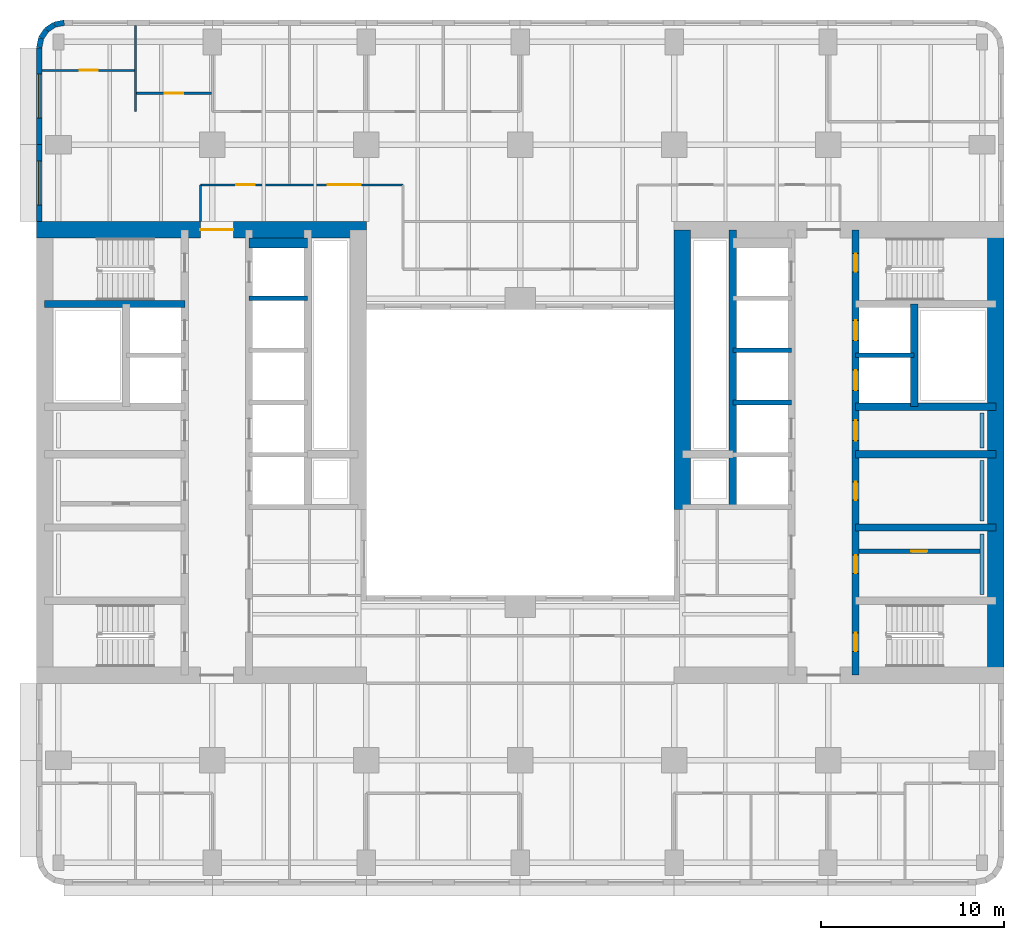
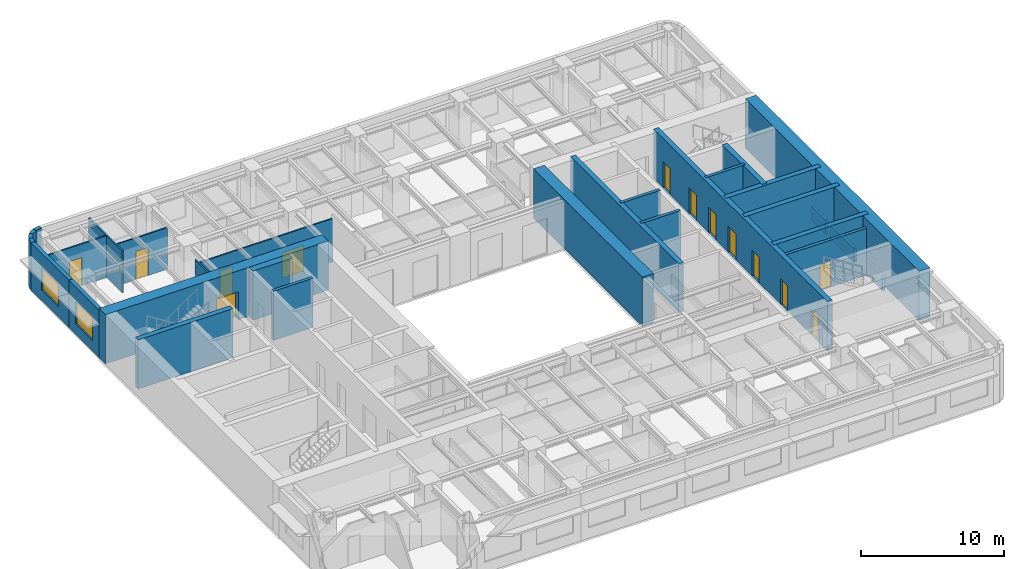
# One storey, part 6 of 11: 30 walls, 13 doors, 2 windows, 15 openings.
"""IFC4 building model written with IfcOpenShell, lengths in metres."""

from ifc_helpers import new_model, si_unit, direction, frame, frame_2d, origin, place, context, subcontext, project, spatial, rectangle, extrude, material, layer, layer_set, type_object, element, fill, save


model = new_model("IFC4")

# Units and contexts
model_context = context("Model", 3, precision=1e-05, world=origin(), true_north=direction((0.0, 1.0)))
body_context = subcontext(model_context, "Body", "Model", "MODEL_VIEW")
ifc_project = project(units=[si_unit("LENGTHUNIT", "METRE"), si_unit("AREAUNIT", "SQUARE_METRE"), si_unit("VOLUMEUNIT", "CUBIC_METRE"), si_unit("PLANEANGLEUNIT", "RADIAN"), si_unit("MASSUNIT", "GRAM", prefix="KILO")], contexts=[model_context])

# Site, building, storey
site_placement = place(None, origin())
site = spatial("IfcSite", under=ifc_project, at=site_placement, CompositionType="ELEMENT")
building_placement = place(site_placement, origin())
building = spatial("IfcBuilding", under=site, at=building_placement, Name="Claustro Exchange Tower", CompositionType="ELEMENT")
storey_placement = place(building_placement, frame((0.0, 0.0, 130.199951171875)))
storey = spatial("IfcBuildingStorey", under=building, at=storey_placement, Name="L29", CompositionType="ELEMENT", Elevation=130.199951171875)

# Wall, opening, door
ifc_material_1 = material(Name="Laminated glass in aluminium frame", Category="aluminium")
ifc_layer_1 = layer(ifc_material_1, 0.1201171875)
ifc_layer_set_1 = layer_set([ifc_layer_1], Name="Laminated glass in aluminium frame")
wall_type_1 = type_object("IfcWallType", Name="P2 120 glazed partition", PredefinedType="PARTITIONING", material=ifc_layer_set_1)
wall_1_placement = place(storey_placement, frame((-0.902099609375, 46.050048828125, 0.0), z_axis=(0.0, 0.0, 1.0), x_axis=(1.0, 0.0, 0.0)))
wall_1 = element("IfcWall", 1, at=wall_1_placement, inside=storey, type_object=wall_type_1, Name="Partition P2 L29", PredefinedType="PARTITIONING", context=body_context, shape_type="SweptSolid", body=[
    extrude(rectangle(XDim=5.044189453125, YDim=0.1201171875, at=frame_2d((2.52197265625, 0.0))), origin(), (0.0, 0.0, 1.0), 3.56005859375),
])
opening_1_placement = place(wall_1_placement, frame((2.052001953125, 0.0, 0.0)))
opening_1 = element("IfcOpeningElement", 2, at=opening_1_placement, cuts=wall_1, Name="Opening D7", PredefinedType="OPENING", context=body_context, shape_type="SweptSolid", body=[
    extrude(rectangle(XDim=1.0, YDim=2.39990234375, at=frame_2d((0.5, 1.199951171875))), frame((0.0, 0.070068359375, 0.0), z_axis=(0.0, -1.0, 0.0), x_axis=(1.0, 0.0, 0.0)), (0.0, 0.0, 1.0), 0.14013671875),
])
ifc_material_2 = material(Name="Glass door in aluminium frame", Category="aluminium")
door_type_1 = type_object("IfcDoorType", Name="D7 1000 x 2400 glazed door", OperationType="SINGLE_SWING_LEFT", PredefinedType="DOOR", material=ifc_material_2)
door_1_placement = place(opening_1_placement, origin())
door_1 = element("IfcDoor", 3, at=door_1_placement, inside=storey, type_object=door_type_1, Name="Door D7 L29", OperationType="SINGLE_SWING_RIGHT", OverallHeight=2.39990234375, OverallWidth=1.0, PredefinedType="DOOR", context=body_context, shape_type="SweptSolid", body=[
    extrude(rectangle(XDim=1.0, YDim=2.39990234375, at=frame_2d((0.5, 1.199951171875))), frame((0.0, 0.02490234375, 0.0), z_axis=(0.0, -1.0, 0.0), x_axis=(1.0, 0.0, 0.0)), (0.0, 0.0, 1.0), 0.050048828125),
])
fill(opening_1, door_1)

wall_2_placement = place(storey_placement, frame((4.258056640625, 44.800048828125, 0.0), z_axis=(0.0, 0.0, 1.0), x_axis=(1.0, 0.0, 0.0)))
wall_2 = element("IfcWall", 4, at=wall_2_placement, inside=storey, type_object=wall_type_1, Name="Partition P2 L29", PredefinedType="PARTITIONING", context=body_context, shape_type="SweptSolid", body=[
    extrude(rectangle(XDim=4.083984375, YDim=0.1201171875, at=frame_2d((2.0419921875, 0.0))), origin(), (0.0, 0.0, 1.0), 3.550048828125),
])
opening_2_placement = place(wall_2_placement, frame((1.5419921875, 0.0, 0.0)))
opening_2 = element("IfcOpeningElement", 5, at=opening_2_placement, cuts=wall_2, Name="Opening D7", PredefinedType="OPENING", context=body_context, shape_type="SweptSolid", body=[
    extrude(rectangle(XDim=1.0, YDim=2.39990234375, at=frame_2d((0.5, 1.199951171875))), frame((0.0, 0.070068359375, 0.0), z_axis=(0.0, -1.0, 0.0), x_axis=(1.0, 0.0, 0.0)), (0.0, 0.0, 1.0), 0.14013671875),
])
door_2_placement = place(opening_2_placement, origin())
door_2 = element("IfcDoor", 6, at=door_2_placement, inside=storey, type_object=door_type_1, Name="Door D7 L29", OperationType="SINGLE_SWING_LEFT", OverallHeight=2.39990234375, OverallWidth=1.0, PredefinedType="DOOR", context=body_context, shape_type="SweptSolid", body=[
    extrude(rectangle(XDim=1.0, YDim=2.39990234375, at=frame_2d((0.5, 1.199951171875))), frame((0.0, 0.02490234375, 0.0), z_axis=(0.0, -1.0, 0.0), x_axis=(1.0, 0.0, 0.0)), (0.0, 0.0, 1.0), 0.050048828125),
])
fill(opening_2, door_2)

# Wall
wall_3_placement = place(storey_placement, frame((4.199951171875, 43.800048828125, 0.0), z_axis=(0.0, 0.0, 1.0), x_axis=(0.0, 1.0, 0.0)))
element("IfcWall", 7, at=wall_3_placement, inside=storey, type_object=wall_type_1, Name="Partition P2 L29", PredefinedType="PARTITIONING", context=body_context, shape_type="SweptSolid", body=[
    extrude(rectangle(XDim=4.701904296875, YDim=0.1201171875, at=frame_2d((2.35107421875, 0.0))), origin(), (0.0, 0.0, 1.0), 3.56005859375),
])

# Wall, openings, doors
wall_4_placement = place(storey_placement, frame((7.75, 39.800048828125, 0.0), z_axis=(0.0, 0.0, 1.0), x_axis=(1.0, 0.0, 0.0)))
wall_4 = element("IfcWall", 8, at=wall_4_placement, inside=storey, type_object=wall_type_1, Name="Partition P2 L29", PredefinedType="PARTITIONING", context=body_context, shape_type="SweptSolid", body=[
    extrude(rectangle(XDim=11.050048828125, YDim=0.1201171875, at=frame_2d((5.52490234375, 0.0))), origin(), (0.0, 0.0, 1.0), 3.68994140625),
])
opening_3_placement = place(wall_4_placement, frame((1.949951171875, 0.0, 0.0)))
opening_3 = element("IfcOpeningElement", 9, at=opening_3_placement, cuts=wall_4, Name="Opening D7", PredefinedType="OPENING", context=body_context, shape_type="SweptSolid", body=[
    extrude(rectangle(XDim=1.0, YDim=2.39990234375, at=frame_2d((0.5, 1.199951171875))), frame((0.0, 0.070068359375, 0.0), z_axis=(0.0, -1.0, 0.0), x_axis=(1.0, 0.0, 0.0)), (0.0, 0.0, 1.0), 0.14013671875),
])
opening_4_placement = place(wall_4_placement, frame((6.949951171875, 0.0, 0.0)))
opening_4 = element("IfcOpeningElement", 10, at=opening_4_placement, cuts=wall_4, Name="Opening D2", PredefinedType="OPENING", context=body_context, shape_type="SweptSolid", body=[
    extrude(rectangle(XDim=1.800048828125, YDim=2.199951171875, at=frame_2d((0.89990234375, 1.10009765625))), frame((0.0, 0.070068359375, 0.0), z_axis=(0.0, -1.0, 0.0), x_axis=(1.0, 0.0, 0.0)), (0.0, 0.0, 1.0), 0.14013671875),
])
ifc_material_3 = material(Name="Timber door, oak veneer", Category="wood")
door_type_2 = type_object("IfcDoorType", Name="D2 1800 x 2200 double door", OperationType="DOUBLE_DOOR_SINGLE_SWING", PredefinedType="DOOR", material=ifc_material_3)
door_3_placement = place(opening_4_placement, origin())
door_3 = element("IfcDoor", 11, at=door_3_placement, inside=storey, type_object=door_type_2, Name="Double door D2 L29", OperationType="DOUBLE_DOOR_SINGLE_SWING", OverallHeight=2.199951171875, OverallWidth=1.800048828125, PredefinedType="DOOR", context=body_context, shape_type="SweptSolid", body=[
    extrude(rectangle(XDim=1.800048828125, YDim=2.199951171875, at=frame_2d((0.89990234375, 1.10009765625))), frame((0.0, 0.02490234375, 0.0), z_axis=(0.0, -1.0, 0.0), x_axis=(1.0, 0.0, 0.0)), (0.0, 0.0, 1.0), 0.050048828125),
])
fill(opening_4, door_3)
door_4_placement = place(opening_3_placement, origin())
door_4 = element("IfcDoor", 12, at=door_4_placement, inside=storey, type_object=door_type_1, Name="Door D7 L29", OperationType="SINGLE_SWING_RIGHT", OverallHeight=2.39990234375, OverallWidth=1.0, PredefinedType="DOOR", context=body_context, shape_type="SweptSolid", body=[
    extrude(rectangle(XDim=1.0, YDim=2.39990234375, at=frame_2d((0.5, 1.199951171875))), frame((0.0, 0.02490234375, 0.0), z_axis=(0.0, -1.0, 0.0), x_axis=(1.0, 0.0, 0.0)), (0.0, 0.0, 1.0), 0.050048828125),
])
fill(opening_3, door_4)

# Wall
wall_5_placement = place(storey_placement, frame((7.75, 37.800048828125, 0.0), z_axis=(0.0, 0.0, 1.0), x_axis=(0.0, 1.0, 0.0)))
element("IfcWall", 13, at=wall_5_placement, inside=storey, type_object=wall_type_1, Name="Partition P2 L29", PredefinedType="PARTITIONING", context=body_context, shape_type="SweptSolid", body=[
    extrude(rectangle(XDim=2.0, YDim=0.1201171875, at=frame_2d((1.0, 0.0))), origin(), (0.0, 0.0, 1.0), 4.050048828125),
])

# Wall, opening, door
ifc_material_4 = material(Name="Concrete blockwork, rendered", Category="masonry")
ifc_layer_2 = layer(ifc_material_4, 0.25)
ifc_layer_set_2 = layer_set([ifc_layer_2], Name="Concrete blockwork, rendered")
wall_type_2 = type_object("IfcWallType", Name="P4 250 blockwork wall", PredefinedType="PARTITIONING", material=ifc_layer_set_2)
wall_6_placement = place(storey_placement, frame((43.699951171875, 19.800048828125, 0.0), z_axis=(0.0, 0.0, 1.0), x_axis=(1.0, 0.0, 0.0)))
wall_6 = element("IfcWall", 14, at=wall_6_placement, inside=storey, type_object=wall_type_2, Name="Partition P4 L29", PredefinedType="PARTITIONING", context=body_context, shape_type="SweptSolid", body=[
    extrude(rectangle(XDim=6.60009765625, YDim=0.25, at=frame_2d((3.300048828125, 0.0))), origin(), (0.0, 0.0, 1.0), 4.0),
])
opening_5_placement = place(wall_6_placement, frame((2.824951171875, 0.0, 0.0)))
opening_5 = element("IfcOpeningElement", 15, at=opening_5_placement, cuts=wall_6, Name="Opening D5", PredefinedType="OPENING", context=body_context, shape_type="SweptSolid", body=[
    extrude(rectangle(XDim=0.89990234375, YDim=2.199951171875, at=frame_2d((0.449951171875, 1.10009765625))), frame((0.0, 0.135009765625, 0.0), z_axis=(0.0, -1.0, 0.0), x_axis=(1.0, 0.0, 0.0)), (0.0, 0.0, 1.0), 0.27001953125),
])
ifc_material_5 = material(Name="Steel door, painted", Category="steel")
door_type_3 = type_object("IfcDoorType", Name="D5 900 x 2200 store door", OperationType="SINGLE_SWING_LEFT", PredefinedType="DOOR", material=ifc_material_5)
door_5_placement = place(opening_5_placement, origin())
door_5 = element("IfcDoor", 16, at=door_5_placement, inside=storey, type_object=door_type_3, Name="Store door D5 L29", OperationType="SINGLE_SWING_RIGHT", OverallHeight=2.199951171875, OverallWidth=0.89990234375, PredefinedType="DOOR", context=body_context, shape_type="SweptSolid", body=[
    extrude(rectangle(XDim=0.89990234375, YDim=2.199951171875, at=frame_2d((0.449951171875, 1.10009765625))), frame((0.0, 0.02490234375, 0.0), z_axis=(0.0, -1.0, 0.0), x_axis=(1.0, 0.0, 0.0)), (0.0, 0.0, 1.0), 0.050048828125),
])
fill(opening_5, door_5)

# Wall, opening, window
ifc_material_6 = material(Name="Concrete HA-40 (C40/50), precast, white cement, acid-etched", Category="concrete")
ifc_layer_3 = layer(ifc_material_6, 0.300048828125)
ifc_layer_set_3 = layer_set([ifc_layer_3], Name="Concrete HA-40 (C40/50), precast, white cement, acid-etched")
wall_type_3 = type_object("IfcWallType", Name="PC1 300 precast concrete pier panel", PredefinedType="SOLIDWALL", material=ifc_layer_set_3)
wall_7_placement = place(storey_placement, frame((-1.050048828125, 37.800048828125, 0.0), z_axis=(0.0, 0.0, 1.0), x_axis=(0.0, 1.0, 0.0)))
wall_7 = element("IfcWall", 17, at=wall_7_placement, inside=storey, type_object=wall_type_3, Name="Precast pier panel PC1 L29", PredefinedType="SOLIDWALL", context=body_context, shape_type="SweptSolid", body=[
    extrude(rectangle(XDim=4.199951171875, YDim=0.300048828125, at=frame_2d((2.10009765625, 0.0))), origin(), (0.0, 0.0, 1.0), 4.050048828125),
])
opening_6_placement = place(wall_7_placement, frame((0.89990234375, 0.0, 0.89990234375)))
opening_6 = element("IfcOpeningElement", 18, at=opening_6_placement, cuts=wall_7, Name="Opening W2", PredefinedType="OPENING", context=body_context, shape_type="SweptSolid", body=[
    extrude(rectangle(XDim=2.39990234375, YDim=1.89990234375, at=frame_2d((1.199951171875, 0.949951171875))), frame((0.0, 0.159912109375, 0.0), z_axis=(0.0, -1.0, 0.0), x_axis=(1.0, 0.0, 0.0)), (0.0, 0.0, 1.0), 0.320068359375),
])
ifc_material_7 = material(Name="Aluminium frame, clear double glazing", Category="aluminium")
window_type = type_object("IfcWindowType", Name="W2 2400 x 1900 window", PartitioningType="SINGLE_PANEL", PredefinedType="WINDOW", material=ifc_material_7)
window_1_placement = place(opening_6_placement, origin())
window_1 = element("IfcWindow", 19, at=window_1_placement, inside=storey, type_object=window_type, Name="Window W2 L29", OverallHeight=1.89990234375, OverallWidth=2.39990234375, PartitioningType="SINGLE_PANEL", PredefinedType="WINDOW", context=body_context, shape_type="SweptSolid", body=[
    extrude(rectangle(XDim=2.39990234375, YDim=1.89990234375, at=frame_2d((1.199951171875, 0.949951171875))), frame((0.0, 0.030029296875, 0.0), z_axis=(0.0, -1.0, 0.0), x_axis=(1.0, 0.0, 0.0)), (0.0, 0.0, 1.0), 0.06005859375),
])
fill(opening_6, window_1)

wall_8_placement = place(storey_placement, frame((-1.050048828125, 42.0, 0.0), z_axis=(0.0, 0.0, 1.0), x_axis=(0.0, 1.0, 0.0)))
wall_8 = element("IfcWall", 20, at=wall_8_placement, inside=storey, type_object=wall_type_3, Name="Precast pier panel PC1 L29", PredefinedType="SOLIDWALL", context=body_context, shape_type="SweptSolid", body=[
    extrude(rectangle(XDim=5.28515625, YDim=0.300048828125, at=frame_2d((2.642578125, 0.0))), origin(), (0.0, 0.0, 1.0), 4.050048828125),
])
opening_7_placement = place(wall_8_placement, frame((1.442626953125, 0.0, 0.89990234375)))
opening_7 = element("IfcOpeningElement", 21, at=opening_7_placement, cuts=wall_8, Name="Opening W2", PredefinedType="OPENING", context=body_context, shape_type="SweptSolid", body=[
    extrude(rectangle(XDim=2.39990234375, YDim=1.89990234375, at=frame_2d((1.199951171875, 0.949951171875))), frame((0.0, 0.159912109375, 0.0), z_axis=(0.0, -1.0, 0.0), x_axis=(1.0, 0.0, 0.0)), (0.0, 0.0, 1.0), 0.320068359375),
])
window_2_placement = place(opening_7_placement, origin())
window_2 = element("IfcWindow", 22, at=window_2_placement, inside=storey, type_object=window_type, Name="Window W2 L29", OverallHeight=1.89990234375, OverallWidth=2.39990234375, PartitioningType="SINGLE_PANEL", PredefinedType="WINDOW", context=body_context, shape_type="SweptSolid", body=[
    extrude(rectangle(XDim=2.39990234375, YDim=1.89990234375, at=frame_2d((1.199951171875, 0.949951171875))), frame((0.0, 0.030029296875, 0.0), z_axis=(0.0, -1.0, 0.0), x_axis=(1.0, 0.0, 0.0)), (0.0, 0.0, 1.0), 0.06005859375),
])
fill(opening_7, window_2)

# Walls
wall_9_placement = place(storey_placement, frame((-1.050048828125, 47.28515625, 0.0), z_axis=(0.0, 0.0, 1.0), x_axis=(0.195073962632, 0.980788534345, 0.0)))
element("IfcWall", 23, at=wall_9_placement, inside=storey, type_object=wall_type_3, Name="Precast pier panel PC1 L29", PredefinedType="SOLIDWALL", context=body_context, shape_type="SweptSolid", body=[
    extrude(rectangle(XDim=0.540771484375, YDim=0.300048828125, at=frame_2d((0.2705078125, 0.0))), origin(), (0.0, 0.0, 1.0), 4.050048828125),
])
wall_10_placement = place(storey_placement, frame((-0.944580078125, 47.8154296875, 0.0), z_axis=(0.0, 0.0, 1.0), x_axis=(0.55534295404, 0.831621430339, 0.0)))
element("IfcWall", 24, at=wall_10_placement, inside=storey, type_object=wall_type_3, Name="Precast pier panel PC1 L29", PredefinedType="SOLIDWALL", context=body_context, shape_type="SweptSolid", body=[
    extrude(rectangle(XDim=0.52587890625, YDim=0.300048828125, at=frame_2d((0.262939453125, 0.0))), origin(), (0.0, 0.0, 1.0), 4.050048828125),
])
wall_11_placement = place(storey_placement, frame((-0.652587890625, 48.252685546875, 0.0), z_axis=(0.0, 0.0, 1.0), x_axis=(0.831692711774, 0.555236195849, 0.0)))
element("IfcWall", 25, at=wall_11_placement, inside=storey, type_object=wall_type_3, Name="Precast pier panel PC1 L29", PredefinedType="SOLIDWALL", context=body_context, shape_type="SweptSolid", body=[
    extrude(rectangle(XDim=0.525390625, YDim=0.300048828125, at=frame_2d((0.2626953125, 0.0))), origin(), (0.0, 0.0, 1.0), 4.050048828125),
])
wall_12_placement = place(storey_placement, frame((-0.215576171875, 48.54443359375, 0.0), z_axis=(0.0, 0.0, 1.0), x_axis=(0.980788534345, 0.195073962632, 0.0)))
element("IfcWall", 26, at=wall_12_placement, inside=storey, type_object=wall_type_3, Name="Precast pier panel PC1 L29", PredefinedType="SOLIDWALL", context=body_context, shape_type="SweptSolid", body=[
    extrude(rectangle(XDim=0.540771484375, YDim=0.300048828125, at=frame_2d((0.2705078125, 0.0))), origin(), (0.0, 0.0, 1.0), 4.050048828125),
])
ifc_material_8 = material(Name="Gypsum board on steel studs, tiled", Category="steel")
ifc_layer_4 = layer(ifc_material_8, 0.199951171875)
ifc_layer_set_4 = layer_set([ifc_layer_4], Name="Gypsum board on steel studs, tiled")
wall_type_4 = type_object("IfcWallType", Name="PW1 200 WC duct wall", PredefinedType="PLUMBINGWALL", material=ifc_layer_set_4)
for number, where, z_axis, x_axis, name in (
    (27, (50.39990234375, 17.449951171875, 0.0), (0.0, 0.0, 1.0), (0.0, 1.0, 0.0), "WC duct wall PW1 L29"),
    (28, (50.39990234375, 21.449951171875, 0.0), (0.0, 0.0, 1.0), (0.0, 1.0, 0.0), "WC duct wall PW1 L29"),
):
    element("IfcWall", number, at=place(storey_placement, frame(where, z_axis=z_axis, x_axis=x_axis)), inside=storey, type_object=wall_type_4, Name=name, PredefinedType="PLUMBINGWALL", context=body_context, shape_type="SweptSolid", body=[
        extrude(rectangle(XDim=3.300048828125, YDim=0.199951171875, at=frame_2d((1.64990234375, 0.0))), origin(), (0.0, 0.0, 1.0), 1.199951171875),
    ])
wall_13_placement = place(storey_placement, frame((50.39990234375, 25.449951171875, 0.0), z_axis=(0.0, 0.0, 1.0), x_axis=(0.0, 1.0, 0.0)))
element("IfcWall", 29, at=wall_13_placement, inside=storey, type_object=wall_type_4, Name="WC duct wall PW1 L29", PredefinedType="PLUMBINGWALL", context=body_context, shape_type="SweptSolid", body=[
    extrude(rectangle(XDim=1.900146484375, YDim=0.199951171875, at=frame_2d((0.9501953125, 0.0))), origin(), (0.0, 0.0, 1.0), 1.199951171875),
])

# Wall, opening, door
ifc_material_9 = material(Name="Concrete HA-70 (C70/85)", Category="concrete")
ifc_layer_5 = layer(ifc_material_9, 0.89990234375)
ifc_layer_set_5 = layer_set([ifc_layer_5], Name="Concrete HA-70 (C70/85)")
wall_type_5 = type_object("IfcWallType", Name="SW1 900 core shear wall", PredefinedType="SHEAR", material=ifc_layer_set_5)
wall_14_placement = place(storey_placement, frame((-1.199951171875, 37.35009765625, 0.0), z_axis=(0.0, 0.0, 1.0), x_axis=(1.0, 0.0, 0.0)))
wall_14 = element("IfcWall", 30, at=wall_14_placement, inside=storey, type_object=wall_type_5, Name="Core wall SW1 W core N face L29", PredefinedType="SHEAR", context=body_context, shape_type="SweptSolid", body=[
    extrude(rectangle(XDim=18.0, YDim=0.89990234375, at=frame_2d((9.0, 0.0))), origin(), (0.0, 0.0, 1.0), 4.199951171875),
])
opening_8_placement = place(wall_14_placement, frame((8.949951171875, 0.0, 0.0)))
opening_8 = element("IfcOpeningElement", 31, at=opening_8_placement, cuts=wall_14, Name="Opening D3", PredefinedType="OPENING", context=body_context, shape_type="SweptSolid", body=[
    extrude(rectangle(XDim=1.800048828125, YDim=2.39990234375, at=frame_2d((0.89990234375, 1.199951171875))), frame((0.0, 0.4599609375, 0.0), z_axis=(0.0, -1.0, 0.0), x_axis=(1.0, 0.0, 0.0)), (0.0, 0.0, 1.0), 0.919921875),
])
ifc_material_10 = material(Name="Steel fire door, painted", Category="steel")
door_type_4 = type_object("IfcDoorType", Name="D3 1800 x 2400 fire-rated lobby double door", OperationType="DOUBLE_DOOR_SINGLE_SWING", PredefinedType="DOOR", material=ifc_material_10)
door_6_placement = place(opening_8_placement, frame((1.800048828125, 0.0, 0.0), z_axis=(0.0, 0.0, 1.0), x_axis=(-1.0, 0.0, 0.0)))
door_6 = element("IfcDoor", 32, at=door_6_placement, inside=storey, type_object=door_type_4, Name="Lift lobby door D3 L29", OperationType="DOUBLE_DOOR_SINGLE_SWING", OverallHeight=2.39990234375, OverallWidth=1.800048828125, PredefinedType="DOOR", context=body_context, shape_type="SweptSolid", body=[
    extrude(rectangle(XDim=1.800048828125, YDim=2.39990234375, at=frame_2d((0.89990234375, 1.199951171875))), frame((0.0, 0.02490234375, 0.0), z_axis=(0.0, -1.0, 0.0), x_axis=(1.0, 0.0, 0.0)), (0.0, 0.0, 1.0), 0.050048828125),
])
fill(opening_8, door_6)

# Walls
ifc_material_11 = material(Name="Concrete HA-70 (C70/85)", Category="concrete")
ifc_layer_6 = layer(ifc_material_11, 0.89990234375)
ifc_layer_set_6 = layer_set([ifc_layer_6], Name="Concrete HA-70 (C70/85)")
wall_type_6 = type_object("IfcWallType", Name="SW1X 900 exposed core shear wall, board-marked face", PredefinedType="SHEAR", material=ifc_layer_set_6)
wall_15_placement = place(storey_placement, frame((34.050048828125, 22.10009765625, 0.0), z_axis=(0.0, 0.0, 1.0), x_axis=(0.0, 1.0, 0.0)))
element("IfcWall", 33, at=wall_15_placement, inside=storey, type_object=wall_type_6, Name="Core wall SW1X E core W face L29", PredefinedType="SHEAR", context=body_context, shape_type="SweptSolid", body=[
    extrude(rectangle(XDim=15.25, YDim=0.89990234375, at=frame_2d((7.625, 0.0))), origin(), (0.0, 0.0, 1.0), 4.199951171875),
])
wall_16_placement = place(storey_placement, frame((51.14990234375, 13.050048828125, 0.0), z_axis=(0.0, 0.0, 1.0), x_axis=(0.0, 1.0, 0.0)))
element("IfcWall", 34, at=wall_16_placement, inside=storey, type_object=wall_type_6, Name="Core wall SW1X E core E face L29", PredefinedType="SHEAR", context=body_context, shape_type="SweptSolid", body=[
    extrude(rectangle(XDim=24.300048828125, YDim=0.89990234375, at=frame_2d((12.14990234375, 0.0))), origin(), (0.0, 0.0, 1.0), 4.199951171875),
])
ifc_material_12 = material(Name="Concrete HA-50 (C50/60)", Category="concrete")
ifc_layer_7 = layer(ifc_material_12, 0.39990234375)
ifc_layer_set_7 = layer_set([ifc_layer_7], Name="Concrete HA-50 (C50/60)")
wall_type_7 = type_object("IfcWallType", Name="SW4 400 internal core wall", PredefinedType="SHEAR", material=ifc_layer_set_7)
wall_17_placement = place(storey_placement, frame((-0.75, 33.300048828125, 0.0), z_axis=(0.0, 0.0, 1.0), x_axis=(1.0, 0.0, 0.0)))
element("IfcWall", 35, at=wall_17_placement, inside=storey, type_object=wall_type_7, Name="Internal core wall SW4 W core L29", PredefinedType="SHEAR", context=body_context, shape_type="SweptSolid", body=[
    extrude(rectangle(XDim=7.64990234375, YDim=0.39990234375, at=frame_2d((3.824951171875, 0.0))), origin(), (0.0, 0.0, 1.0), 4.199951171875),
])

# Wall, openings, doors
wall_18_placement = place(storey_placement, frame((43.5, 13.050048828125, 0.0), z_axis=(0.0, 0.0, 1.0), x_axis=(0.0, 1.0, 0.0)))
wall_18 = element("IfcWall", 36, at=wall_18_placement, inside=storey, type_object=wall_type_7, Name="Internal core wall SW4 E core L29", PredefinedType="SHEAR", context=body_context, shape_type="SweptSolid", body=[
    extrude(rectangle(XDim=24.300048828125, YDim=0.39990234375, at=frame_2d((12.14990234375, 0.0))), origin(), (0.0, 0.0, 1.0), 4.199951171875),
])
opening_9_placement = place(wall_18_placement, frame((1.300048828125, 0.0, 0.0)))
opening_9 = element("IfcOpeningElement", 37, at=opening_9_placement, cuts=wall_18, Name="Opening D4", PredefinedType="OPENING", context=body_context, shape_type="SweptSolid", body=[
    extrude(rectangle(XDim=1.0, YDim=2.199951171875, at=frame_2d((0.5, 1.10009765625))), frame((0.0, 0.2099609375, 0.0), z_axis=(0.0, -1.0, 0.0), x_axis=(1.0, 0.0, 0.0)), (0.0, 0.0, 1.0), 0.419921875),
])
opening_10_placement = place(wall_18_placement, frame((22.0, 0.0, 0.0)))
opening_10 = element("IfcOpeningElement", 38, at=opening_10_placement, cuts=wall_18, Name="Opening D4", PredefinedType="OPENING", context=body_context, shape_type="SweptSolid", body=[
    extrude(rectangle(XDim=1.0, YDim=2.199951171875, at=frame_2d((0.5, 1.10009765625))), frame((0.0, 0.2099609375, 0.0), z_axis=(0.0, -1.0, 0.0), x_axis=(1.0, 0.0, 0.0)), (0.0, 0.0, 1.0), 0.419921875),
])
opening_11_placement = place(wall_18_placement, frame((5.550048828125, 0.0, 0.0)))
opening_11 = element("IfcOpeningElement", 39, at=opening_11_placement, cuts=wall_18, Name="Opening D1", PredefinedType="OPENING", context=body_context, shape_type="SweptSolid", body=[
    extrude(rectangle(XDim=1.0, YDim=2.199951171875, at=frame_2d((0.5, 1.10009765625))), frame((0.0, 0.2099609375, 0.0), z_axis=(0.0, -1.0, 0.0), x_axis=(1.0, 0.0, 0.0)), (0.0, 0.0, 1.0), 0.419921875),
])
opening_12_placement = place(wall_18_placement, frame((9.550048828125, 0.0, 0.0)))
opening_12 = element("IfcOpeningElement", 40, at=opening_12_placement, cuts=wall_18, Name="Opening D1", PredefinedType="OPENING", context=body_context, shape_type="SweptSolid", body=[
    extrude(rectangle(XDim=1.0, YDim=2.199951171875, at=frame_2d((0.5, 1.10009765625))), frame((0.0, 0.2099609375, 0.0), z_axis=(0.0, -1.0, 0.0), x_axis=(1.0, 0.0, 0.0)), (0.0, 0.0, 1.0), 0.419921875),
])
opening_13_placement = place(wall_18_placement, frame((12.800048828125, 0.0, 0.0)))
opening_13 = element("IfcOpeningElement", 41, at=opening_13_placement, cuts=wall_18, Name="Opening D10", PredefinedType="OPENING", context=body_context, shape_type="SweptSolid", body=[
    extrude(rectangle(XDim=1.10009765625, YDim=2.199951171875, at=frame_2d((0.550048828125, 1.10009765625))), frame((0.0, 0.2099609375, 0.0), z_axis=(0.0, -1.0, 0.0), x_axis=(1.0, 0.0, 0.0)), (0.0, 0.0, 1.0), 0.419921875),
])
opening_14_placement = place(wall_18_placement, frame((15.53759765625, 0.0, 0.0)))
opening_14 = element("IfcOpeningElement", 42, at=opening_14_placement, cuts=wall_18, Name="Opening LD", PredefinedType="OPENING", context=body_context, shape_type="SweptSolid", body=[
    extrude(rectangle(XDim=1.10009765625, YDim=2.199951171875, at=frame_2d((0.550048828125, 1.10009765625))), frame((0.0, 0.2099609375, 0.0), z_axis=(0.0, -1.0, 0.0), x_axis=(1.0, 0.0, 0.0)), (0.0, 0.0, 1.0), 0.419921875),
])
opening_15_placement = place(wall_18_placement, frame((18.262451171875, 0.0, 0.0)))
opening_15 = element("IfcOpeningElement", 43, at=opening_15_placement, cuts=wall_18, Name="Opening LD", PredefinedType="OPENING", context=body_context, shape_type="SweptSolid", body=[
    extrude(rectangle(XDim=1.10009765625, YDim=2.199951171875, at=frame_2d((0.550048828125, 1.10009765625))), frame((0.0, 0.2099609375, 0.0), z_axis=(0.0, -1.0, 0.0), x_axis=(1.0, 0.0, 0.0)), (0.0, 0.0, 1.0), 0.419921875),
])
ifc_material_13 = material(Name="Timber door, oak veneer", Category="wood")
door_type_5 = type_object("IfcDoorType", Name="D1 1000 x 2200 single door", OperationType="SINGLE_SWING_LEFT", PredefinedType="DOOR", material=ifc_material_13)
door_7_placement = place(opening_11_placement, frame((1.0, 0.0, 0.0), z_axis=(0.0, 0.0, 1.0), x_axis=(-1.0, 0.0, 0.0)))
door_7 = element("IfcDoor", 44, at=door_7_placement, inside=storey, type_object=door_type_5, Name="Door D1 L29", OperationType="SINGLE_SWING_LEFT", OverallHeight=2.199951171875, OverallWidth=1.0, PredefinedType="DOOR", context=body_context, shape_type="SweptSolid", body=[
    extrude(rectangle(XDim=1.0, YDim=2.199951171875, at=frame_2d((0.5, 1.10009765625))), frame((0.0, 0.02490234375, 0.0), z_axis=(0.0, -1.0, 0.0), x_axis=(1.0, 0.0, 0.0)), (0.0, 0.0, 1.0), 0.050048828125),
])
fill(opening_11, door_7)
door_8_placement = place(opening_12_placement, frame((1.0, 0.0, 0.0), z_axis=(0.0, 0.0, 1.0), x_axis=(-1.0, 0.0, 0.0)))
door_8 = element("IfcDoor", 45, at=door_8_placement, inside=storey, type_object=door_type_5, Name="Door D1 L29", OperationType="SINGLE_SWING_LEFT", OverallHeight=2.199951171875, OverallWidth=1.0, PredefinedType="DOOR", context=body_context, shape_type="SweptSolid", body=[
    extrude(rectangle(XDim=1.0, YDim=2.199951171875, at=frame_2d((0.5, 1.10009765625))), frame((0.0, 0.02490234375, 0.0), z_axis=(0.0, -1.0, 0.0), x_axis=(1.0, 0.0, 0.0)), (0.0, 0.0, 1.0), 0.050048828125),
])
fill(opening_12, door_8)
ifc_material_14 = material(Name="Timber door, oak veneer", Category="wood")
door_type_6 = type_object("IfcDoorType", Name="D10 1100 x 2200 accessible WC door", OperationType="SINGLE_SWING_LEFT", PredefinedType="DOOR", material=ifc_material_14)
door_9_placement = place(opening_13_placement, origin())
door_9 = element("IfcDoor", 46, at=door_9_placement, inside=storey, type_object=door_type_6, Name="Accessible WC door D10 L29", OperationType="SINGLE_SWING_RIGHT", OverallHeight=2.199951171875, OverallWidth=1.10009765625, PredefinedType="DOOR", context=body_context, shape_type="SweptSolid", body=[
    extrude(rectangle(XDim=1.10009765625, YDim=2.199951171875, at=frame_2d((0.550048828125, 1.10009765625))), frame((0.0, 0.02490234375, 0.0), z_axis=(0.0, -1.0, 0.0), x_axis=(1.0, 0.0, 0.0)), (0.0, 0.0, 1.0), 0.050048828125),
])
fill(opening_13, door_9)
ifc_material_15 = material(Name="Steel fire door, painted", Category="steel")
door_type_7 = type_object("IfcDoorType", Name="D4 1000 x 2200 fire-rated stair door", OperationType="SINGLE_SWING_LEFT", PredefinedType="DOOR", material=ifc_material_15)
door_10_placement = place(opening_9_placement, frame((1.0, 0.0, 0.0), z_axis=(0.0, 0.0, 1.0), x_axis=(-1.0, 0.0, 0.0)))
door_10 = element("IfcDoor", 47, at=door_10_placement, inside=storey, type_object=door_type_7, Name="Stair door D4 L29", OperationType="SINGLE_SWING_RIGHT", OverallHeight=2.199951171875, OverallWidth=1.0, PredefinedType="DOOR", context=body_context, shape_type="SweptSolid", body=[
    extrude(rectangle(XDim=1.0, YDim=2.199951171875, at=frame_2d((0.5, 1.10009765625))), frame((0.0, 0.02490234375, 0.0), z_axis=(0.0, -1.0, 0.0), x_axis=(1.0, 0.0, 0.0)), (0.0, 0.0, 1.0), 0.050048828125),
])
fill(opening_9, door_10)
door_11_placement = place(opening_10_placement, frame((1.0, 0.0, 0.0), z_axis=(0.0, 0.0, 1.0), x_axis=(-1.0, 0.0, 0.0)))
door_11 = element("IfcDoor", 48, at=door_11_placement, inside=storey, type_object=door_type_7, Name="Stair door D4 L29", OperationType="SINGLE_SWING_LEFT", OverallHeight=2.199951171875, OverallWidth=1.0, PredefinedType="DOOR", context=body_context, shape_type="SweptSolid", body=[
    extrude(rectangle(XDim=1.0, YDim=2.199951171875, at=frame_2d((0.5, 1.10009765625))), frame((0.0, 0.02490234375, 0.0), z_axis=(0.0, -1.0, 0.0), x_axis=(1.0, 0.0, 0.0)), (0.0, 0.0, 1.0), 0.050048828125),
])
fill(opening_10, door_11)
ifc_material_16 = material(Name="Stainless steel sliding door", Category="steel")
door_type_8 = type_object("IfcDoorType", Name="LD 1100 x 2200 lift landing door", OperationType="DOUBLE_DOOR_SLIDING", PredefinedType="DOOR", material=ifc_material_16)
door_12_placement = place(opening_14_placement, origin())
door_12 = element("IfcDoor", 49, at=door_12_placement, inside=storey, type_object=door_type_8, Name="Lift landing door LEE1 LD L29", OperationType="DOUBLE_DOOR_SLIDING", OverallHeight=2.199951171875, OverallWidth=1.10009765625, PredefinedType="DOOR", context=body_context, shape_type="SweptSolid", body=[
    extrude(rectangle(XDim=1.10009765625, YDim=2.199951171875, at=frame_2d((0.550048828125, 1.10009765625))), frame((0.0, 0.02490234375, 0.0), z_axis=(0.0, -1.0, 0.0), x_axis=(1.0, 0.0, 0.0)), (0.0, 0.0, 1.0), 0.050048828125),
])
fill(opening_14, door_12)
door_13_placement = place(opening_15_placement, origin())
door_13 = element("IfcDoor", 50, at=door_13_placement, inside=storey, type_object=door_type_8, Name="Lift landing door LEE2 LD L29", OperationType="DOUBLE_DOOR_SLIDING", OverallHeight=2.199951171875, OverallWidth=1.10009765625, PredefinedType="DOOR", context=body_context, shape_type="SweptSolid", body=[
    extrude(rectangle(XDim=1.10009765625, YDim=2.199951171875, at=frame_2d((0.550048828125, 1.10009765625))), frame((0.0, 0.02490234375, 0.0), z_axis=(0.0, -1.0, 0.0), x_axis=(1.0, 0.0, 0.0)), (0.0, 0.0, 1.0), 0.050048828125),
])
fill(opening_15, door_13)

# Walls
wall_19_placement = place(storey_placement, frame((36.800048828125, 22.22509765625, 0.0), z_axis=(0.0, 0.0, 1.0), x_axis=(0.0, 1.0, 0.0)))
element("IfcWall", 51, at=wall_19_placement, inside=storey, type_object=wall_type_7, Name="Internal core wall SW4 E core L29", PredefinedType="SHEAR", context=body_context, shape_type="SweptSolid", body=[
    extrude(rectangle(XDim=15.125, YDim=0.39990234375, at=frame_2d((7.5625, 0.0))), origin(), (0.0, 0.0, 1.0), 4.199951171875),
])
for number, where, z_axis, x_axis, name in (
    (52, (51.14990234375, 21.10009765625, 0.0), (0.0, 0.0, 1.0), (-1.0, 0.0, 0.0), "Internal core wall SW4 E core L29"),
    (53, (51.14990234375, 25.10009765625, 0.0), (0.0, 0.0, 1.0), (-1.0, 0.0, 0.0), "Internal core wall SW4 E core L29"),
    (54, (51.14990234375, 27.699951171875, 0.0), (0.0, 0.0, 1.0), (-1.0, 0.0, 0.0), "Internal core wall SW4 E core L29"),
):
    element("IfcWall", number, at=place(storey_placement, frame(where, z_axis=z_axis, x_axis=x_axis)), inside=storey, type_object=wall_type_7, Name=name, PredefinedType="SHEAR", context=body_context, shape_type="SweptSolid", body=[
        extrude(rectangle(XDim=7.64990234375, YDim=0.39990234375, at=frame_2d((3.824951171875, 0.0))), origin(), (0.0, 0.0, 1.0), 4.199951171875),
    ])
wall_20_placement = place(storey_placement, frame((46.699951171875, 27.699951171875, 0.0), z_axis=(0.0, 0.0, 1.0), x_axis=(0.0, 1.0, 0.0)))
element("IfcWall", 55, at=wall_20_placement, inside=storey, type_object=wall_type_7, Name="Internal core wall SW4 E core L29", PredefinedType="SHEAR", context=body_context, shape_type="SweptSolid", body=[
    extrude(rectangle(XDim=5.60009765625, YDim=0.39990234375, at=frame_2d((2.800048828125, 0.0))), origin(), (0.0, 0.0, 1.0), 4.199951171875),
])
ifc_material_17 = material(Name="Concrete HA-50 (C50/60)", Category="concrete")
ifc_layer_8 = layer(ifc_material_17, 0.25)
ifc_layer_set_8 = layer_set([ifc_layer_8], Name="Concrete HA-50 (C50/60)")
wall_type_8 = type_object("IfcWallType", Name="SW5 250 lift shaft divider wall", PredefinedType="SHEAR", material=ifc_layer_set_8)
wall_21_placement = place(storey_placement, frame((10.39990234375, 33.625, 0.0), z_axis=(0.0, 0.0, 1.0), x_axis=(1.0, 0.0, 0.0)))
element("IfcWall", 56, at=wall_21_placement, inside=storey, type_object=wall_type_8, Name="Lift shaft wall W core L29", PredefinedType="SHEAR", context=body_context, shape_type="SweptSolid", body=[
    extrude(rectangle(XDim=3.2001953125, YDim=0.25, at=frame_2d((1.60009765625, 0.0))), origin(), (0.0, 0.0, 1.0), 4.199951171875),
])
for number, where, z_axis, x_axis, name in (
    (57, (46.699951171875, 30.5, 0.0), (0.0, 0.0, 1.0), (-1.0, 0.0, 0.0), "Lift shaft wall E core L29"),
    (58, (40.0, 27.925048828125, 0.0), (0.0, 0.0, 1.0), (-1.0, 0.0, 0.0), "Lift shaft wall E core L29"),
    (59, (40.0, 30.77490234375, 0.0), (0.0, 0.0, 1.0), (-1.0, 0.0, 0.0), "Lift shaft wall E core L29"),
):
    element("IfcWall", number, at=place(storey_placement, frame(where, z_axis=z_axis, x_axis=x_axis)), inside=storey, type_object=wall_type_8, Name=name, PredefinedType="SHEAR", context=body_context, shape_type="SweptSolid", body=[
        extrude(rectangle(XDim=3.199951171875, YDim=0.25, at=frame_2d((1.60009765625, 0.0))), origin(), (0.0, 0.0, 1.0), 4.199951171875),
    ])
ifc_material_18 = material(Name="Concrete HA-50 (C50/60)", Category="concrete")
ifc_layer_9 = layer(ifc_material_18, 0.550048828125)
ifc_layer_set_9 = layer_set([ifc_layer_9], Name="Concrete HA-50 (C50/60)")
wall_type_9 = type_object("IfcWallType", Name="SW6 550 lift shaft end wall", PredefinedType="SHEAR", material=ifc_layer_set_9)
wall_22_placement = place(storey_placement, frame((10.39990234375, 36.625, 0.0), z_axis=(0.0, 0.0, 1.0), x_axis=(1.0, 0.0, 0.0)))
element("IfcWall", 60, at=wall_22_placement, inside=storey, type_object=wall_type_9, Name="Lift shaft wall W core L29", PredefinedType="SHEAR", context=body_context, shape_type="SweptSolid", body=[
    extrude(rectangle(XDim=3.2001953125, YDim=0.550048828125, at=frame_2d((1.60009765625, 0.0))), origin(), (0.0, 0.0, 1.0), 4.199951171875),
])

save(model, "model.ifc")
